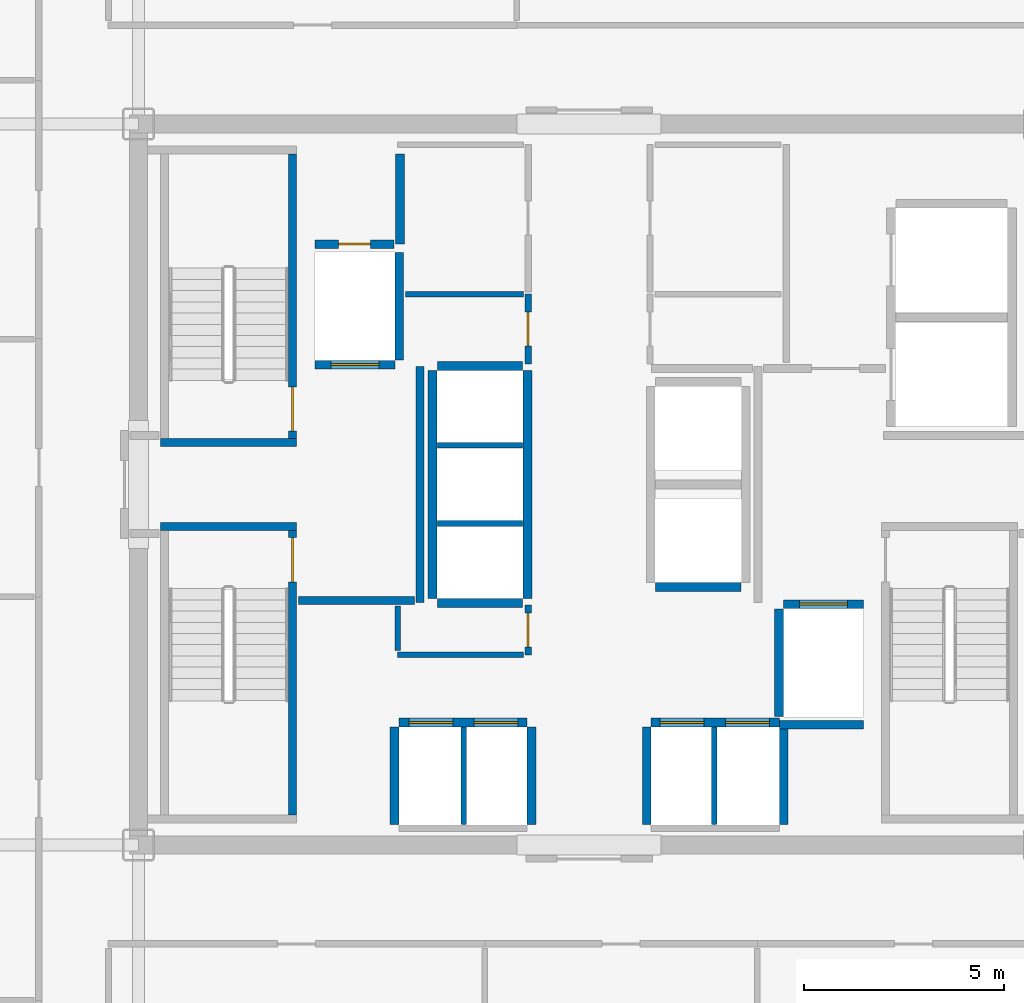
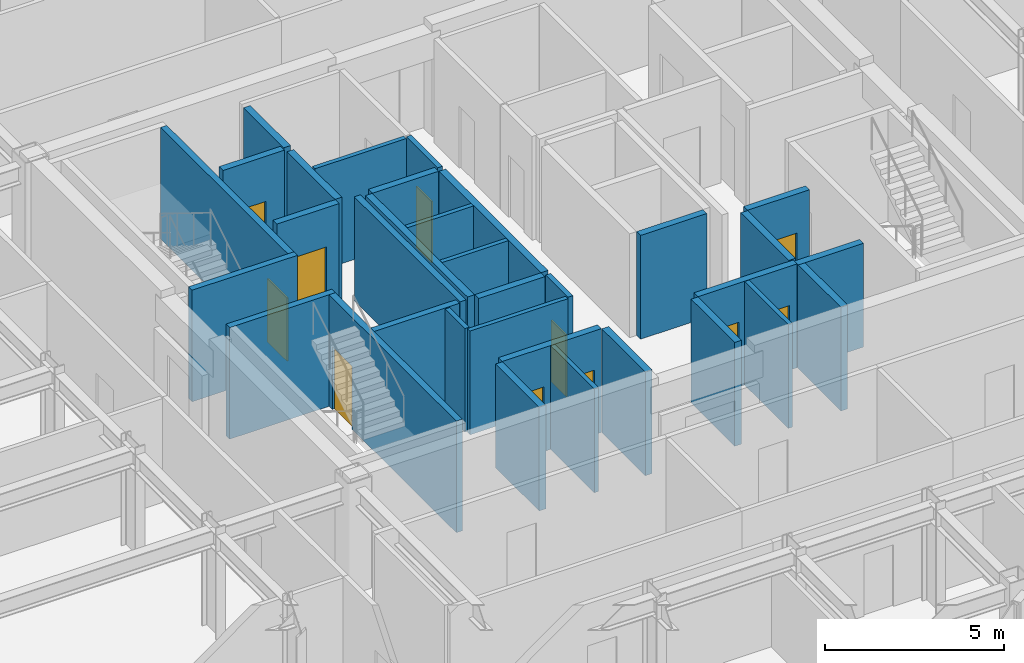
# One storey, part 15 of 20: 33 walls, 11 doors, 11 openings.
"""IFC4 building model written with IfcOpenShell, lengths in metres."""

import ifcopenshell
import ifcopenshell.guid

model = None  # the IFC model being written
_history = None  # IfcOwnerHistory: only IFC2X3 demands one
_inside = {}  # id of a spatial element -> (the spatial element, [elements in it])
_under = {}  # id of a project, library or spatial element -> (it, [spatial elements below it])
_declared = {}  # id of a project -> (the project, [libraries it declares])
_typed = {}  # id of a type object -> (the type object, [elements of that type])
_made_of = {}  # id of a material, layer set ... -> (it, [elements and type objects made of it])


def new_model(schema):
    """Start an empty IFC model of exactly this schema.

    Asked for "IFC4X3", IfcOpenShell would pick the latest addendum, in which some entities
    have other attributes; the version numbers below select the first issue.
    IFC2X3 requires an IfcOwnerHistory on every rooted entity: one is made here for all.
    """
    global model, _history
    if schema == "IFC4X3":
        model = ifcopenshell.file(schema_version=(4, 3, 0, 0))
    else:
        model = ifcopenshell.file(schema=schema)
    _inside.clear()
    _under.clear()
    _declared.clear()
    _typed.clear()
    _made_of.clear()
    _history = None
    if model.schema == "IFC2X3":
        org = make("IfcOrganization", Name="unknown")
        user = make(
            "IfcPersonAndOrganization",
            ThePerson=make("IfcPerson", FamilyName="unknown"),
            TheOrganization=org,
        )
        app = make(
            "IfcApplication",
            ApplicationDeveloper=org,
            Version="unknown",
            ApplicationFullName="unknown",
            ApplicationIdentifier="unknown",
        )
        _history = make(
            "IfcOwnerHistory",
            OwningUser=user,
            OwningApplication=app,
            ChangeAction="ADDED",
            CreationDate=0,
        )
    return model


def make(cls, **values):
    """One entity of the class cls with the attributes given. An attribute that is None is left unset."""
    return model.create_entity(
        cls, **{name: value for name, value in values.items() if value is not None}
    )


def rooted(cls, **values):
    """An entity with a GlobalId (a new one), such as an element, a storey or a relation."""
    return make(cls, GlobalId=ifcopenshell.guid.new(), OwnerHistory=_history, **values)


def si_unit(unit_type, name, prefix=None):
    """IfcSIUnit, for example si_unit("LENGTHUNIT", "METRE", prefix="MILLI")."""
    return make("IfcSIUnit", UnitType=unit_type, Prefix=prefix, Name=name)


def assignment(units):
    """IfcUnitAssignment: the units of a project."""
    return None if units is None else make("IfcUnitAssignment", Units=units)


def point(xyz):
    """IfcCartesianPoint."""
    return None if xyz is None else make("IfcCartesianPoint", Coordinates=xyz)


def direction(xyz):
    """IfcDirection."""
    return None if xyz is None else make("IfcDirection", DirectionRatios=xyz)


def frame(location, z_axis=None, x_axis=None):
    """IfcAxis2Placement3D, a coordinate frame: its origin and axes. An axis left out is left unset."""
    return make(
        "IfcAxis2Placement3D",
        Location=point(location),
        Axis=direction(z_axis),
        RefDirection=direction(x_axis),
    )


def frame_2d(location, x_axis=None):
    """IfcAxis2Placement2D, a coordinate frame in the plane: its origin and x axis."""
    return make(
        "IfcAxis2Placement2D", Location=point(location), RefDirection=direction(x_axis)
    )


def origin():
    """The frame at (0, 0, 0) with its axes left unset."""
    return frame((0.0, 0.0, 0.0))


def place(relative_to, where):
    """IfcLocalPlacement: puts the frame where relative to a parent placement (None: the world)."""
    return make(
        "IfcLocalPlacement", PlacementRelTo=relative_to, RelativePlacement=where
    )


def context(
    kind, dimensions, precision=None, world=None, true_north=None, identifier=None
):
    """IfcGeometricRepresentationContext, for example the 3D "Model" context."""
    return make(
        "IfcGeometricRepresentationContext",
        ContextIdentifier=identifier,
        ContextType=kind,
        CoordinateSpaceDimension=dimensions,
        Precision=precision,
        WorldCoordinateSystem=world,
        TrueNorth=true_north,
    )


def subcontext(parent, identifier, kind, view, scale=None):
    """IfcGeometricRepresentationSubContext, for example "Body" below "Model"."""
    return make(
        "IfcGeometricRepresentationSubContext",
        ContextIdentifier=identifier,
        ContextType=kind,
        ParentContext=parent,
        TargetScale=scale,
        TargetView=view,
    )


def project(units=None, contexts=None):
    """IfcProject with its units and contexts."""
    return rooted(
        "IfcProject",
        Name="project",
        RepresentationContexts=contexts,
        UnitsInContext=assignment(units),
    )


def spatial(cls, under=None, at=None, **own):
    """A site, building, storey or space (cls), placed at a placement, below another one or the project."""
    s = rooted(cls, ObjectPlacement=at, **own)
    if under is not None:
        _under.setdefault(under.id(), (under, []))[1].append(s)
    return s


def profile(cls, at=None, kind="AREA", **sizes):
    """A parametric profile (cls). Its sizes go by their IFC names, for example OverallWidth=200.0."""
    return make(cls, ProfileType=kind, Position=at, **sizes)


def rectangle(**sizes):
    """IfcRectangleProfileDef."""
    return profile("IfcRectangleProfileDef", **sizes)


def extrude(swept, where, along, depth):
    """IfcExtrudedAreaSolid: the profile swept, set in the frame where, extruded along a direction by depth."""
    return make(
        "IfcExtrudedAreaSolid",
        SweptArea=swept,
        Position=where,
        ExtrudedDirection=direction(along),
        Depth=depth,
    )


def shape(context_of_items, identifier, shape_type, items):
    """IfcShapeRepresentation: the items that make up one representation, for example the "Body"."""
    return make(
        "IfcShapeRepresentation",
        ContextOfItems=context_of_items,
        RepresentationIdentifier=identifier,
        RepresentationType=shape_type,
        Items=items,
    )


def source(mapping_origin, context_of_items, identifier, shape_type, items):
    """IfcRepresentationMap: a shape defined once, which mapped items show again and again."""
    return make(
        "IfcRepresentationMap",
        MappingOrigin=mapping_origin,
        MappedRepresentation=shape(context_of_items, identifier, shape_type, items),
    )


def transform(
    local_origin,
    x_axis=None,
    y_axis=None,
    z_axis=None,
    scale=None,
    scale2=None,
    scale3=None,
    uniform=True,
):
    """IfcCartesianTransformationOperator3D, or its non-uniform kind. x_axis, y_axis, z_axis: its Axis1, 2, 3."""
    if uniform:
        return make(
            "IfcCartesianTransformationOperator3D",
            Axis1=direction(x_axis),
            Axis2=direction(y_axis),
            LocalOrigin=point(local_origin),
            Scale=scale,
            Axis3=direction(z_axis),
        )
    return make(
        "IfcCartesianTransformationOperator3DnonUniform",
        Axis1=direction(x_axis),
        Axis2=direction(y_axis),
        LocalOrigin=point(local_origin),
        Scale=scale,
        Axis3=direction(z_axis),
        Scale2=scale2,
        Scale3=scale3,
    )


def mapped(mapping_source, mapping_target):
    """IfcMappedItem: shows the shape of a source again, moved by a transform."""
    return make(
        "IfcMappedItem", MappingSource=mapping_source, MappingTarget=mapping_target
    )


def material(Name=None, Category=None):
    """IfcMaterial."""
    return make("IfcMaterial", Name=Name, Category=Category)


def layer(
    of_material, thickness, ventilated=None, Name=None, Category=None, Priority=None
):
    """IfcMaterialLayer: one layer of a wall or slab, of a material (None: an air gap)."""
    return make(
        "IfcMaterialLayer",
        Material=of_material,
        LayerThickness=thickness,
        IsVentilated=ventilated,
        Name=Name,
        Category=Category,
        Priority=Priority,
    )


def layer_set(layers, Name=None):
    """IfcMaterialLayerSet."""
    return make("IfcMaterialLayerSet", MaterialLayers=layers, LayerSetName=Name)


def made_of(thing, what):
    """Note that an element or type object is made of a material, layer set ...; save() writes the relation."""
    if what is not None:
        _made_of.setdefault(what.id(), (what, []))[1].append(thing)
    return thing


def type_object(cls, material=None, **own):
    """A type object (cls), such as IfcWallType, which elements share."""
    return made_of(rooted(cls, **own), material)


def element(
    cls,
    number,
    at=None,
    inside=None,
    cuts=None,
    type_object=None,
    material=None,
    context=None,
    identifier="Body",
    shape_type=None,
    held_by="IfcProductDefinitionShape",
    body=None,
    shapes=None,
    **own,
):
    """One element of the class cls, such as IfcWall. Its Tag is "e" and its number.

    at: its placement. inside: the storey or other place that contains it. cuts: it is an
    opening in that element (IfcRelVoidsElement). A single representation is given by context,
    identifier, shape_type and body (its items); several are given by shapes. held_by: the class
    of the entity that holds the representations. save() writes the other relations.
    """
    e = rooted(cls, Tag="e%d" % number, ObjectPlacement=at, **own)
    if body is not None:
        shapes = [shape(context, identifier, shape_type, body)]
    if shapes is not None:
        e.Representation = make(held_by, Representations=shapes)
    if inside is not None:
        _inside.setdefault(inside.id(), (inside, []))[1].append(e)
    if cuts is not None:
        rooted(
            "IfcRelVoidsElement", RelatingBuildingElement=cuts, RelatedOpeningElement=e
        )
    if type_object is not None:
        _typed.setdefault(type_object.id(), (type_object, []))[1].append(e)
    return made_of(e, material)


def fill(opening, filler):
    """IfcRelFillsElement: the door or window that sits in an opening."""
    return rooted(
        "IfcRelFillsElement",
        RelatingOpeningElement=opening,
        RelatedBuildingElement=filler,
    )


def aggregate(whole, parts):
    """IfcRelAggregates: a whole, such as a stair, and the parts it consists of."""
    return rooted("IfcRelAggregates", RelatingObject=whole, RelatedObjects=parts)


def save(model, path):
    """Write the relations noted so far, then the file.

    IfcRelAggregates (storeys below a building ...), IfcRelContainedInSpatialStructure (elements
    in a storey), IfcRelDefinesByType, IfcRelAssociatesMaterial and IfcRelDeclares: one each for
    every whole, place, type object, material and project.
    """
    for whole, parts in _under.values():
        aggregate(whole, parts)
    for where, things in _inside.values():
        rooted(
            "IfcRelContainedInSpatialStructure",
            RelatedElements=things,
            RelatingStructure=where,
        )
    for kind, things in _typed.values():
        rooted("IfcRelDefinesByType", RelatedObjects=things, RelatingType=kind)
    for what, things in _made_of.values():
        rooted("IfcRelAssociatesMaterial", RelatedObjects=things, RelatingMaterial=what)
    for by, libraries in _declared.values():
        rooted("IfcRelDeclares", RelatingContext=by, RelatedDefinitions=libraries)
    model.write(path)


model = new_model("IFC4")

# Units and contexts
model_context = context("Model", 3, precision=1e-05, world=origin(), true_north=direction((0.0, 1.0)))
body_context = subcontext(model_context, "Body", "Model", "MODEL_VIEW")
ifc_project = project(units=[si_unit("LENGTHUNIT", "METRE"), si_unit("AREAUNIT", "SQUARE_METRE"), si_unit("VOLUMEUNIT", "CUBIC_METRE"), si_unit("PLANEANGLEUNIT", "RADIAN"), si_unit("MASSUNIT", "GRAM", prefix="KILO")], contexts=[model_context])

# Site, building, storey
site_placement = place(None, origin())
site = spatial("IfcSite", under=ifc_project, at=site_placement, CompositionType="ELEMENT")
building_placement = place(site_placement, origin())
building = spatial("IfcBuilding", under=site, at=building_placement, Name="Nefas-Gora Pilgrimage Tower", CompositionType="ELEMENT")
storey_placement = place(building_placement, frame((0.0, 0.0, 221.800048828125)))
storey = spatial("IfcBuildingStorey", under=building, at=storey_placement, Name="L55", CompositionType="ELEMENT", Elevation=221.800048828125)

# Walls
ifc_material_1 = material(Name="Concrete C45/55", Category="concrete")
ifc_layer_1 = layer(ifc_material_1, 0.199951171875)
ifc_layer_set_1 = layer_set([ifc_layer_1], Name="Concrete C45/55")
wall_type_1 = type_object("IfcWallType", Name="IW-STAIR-200", PredefinedType="SOLIDWALL", material=ifc_layer_set_1)
shared_shape_1 = source(origin(), body_context, "Body", "SweptSolid", [
    extrude(rectangle(XDim=3.39990234375, YDim=0.199951171875, at=frame_2d((1.699951171875, 0.0))), origin(), (0.0, 0.0, 1.0), 3.800048828125),
])
for number, where, z_axis, x_axis, name in (
    (1, (-7.300048828125, 1.050048828125, 0.0), (0.0, 0.0, 1.0), (-1.0, 0.0, 0.0), "L55 Stairwell Shear Wall ST-01-near"),
    (2, (-10.699951171875, -1.050048828125, 0.0), (0.0, 0.0, 1.0), (1.0, 0.0, 0.0), "L55 Stairwell Shear Wall ST-03-near"),
):
    element("IfcWall", number, at=place(storey_placement, frame(where, z_axis=z_axis, x_axis=x_axis)), inside=storey, type_object=wall_type_1, Name=name, PredefinedType="SOLIDWALL", context=body_context, shape_type="MappedRepresentation", body=[
        mapped(shared_shape_1, transform((0.0, 0.0, 0.0), x_axis=(1.0, 0.0, 0.0), y_axis=(0.0, 1.0, 0.0), z_axis=(0.0, 0.0, 1.0), scale=1.0)),
    ])

# Wall, opening, door
shared_shape_2 = source(origin(), body_context, "Body", "SweptSolid", [
    extrude(rectangle(XDim=7.10009765625, YDim=0.199951171875, at=frame_2d((3.550048828125, 0.0))), origin(), (0.0, 0.0, 1.0), 3.800048828125),
])
wall_1_placement = place(storey_placement, frame((-7.39990234375, 1.14990234375, 0.0), z_axis=(0.0, 0.0, 1.0), x_axis=(0.0, 1.0, 0.0)))
wall_1 = element("IfcWall", 3, at=wall_1_placement, inside=storey, type_object=wall_type_1, Name="L55 Stairwell Shear Wall ST-01-left", PredefinedType="SOLIDWALL", context=body_context, shape_type="MappedRepresentation", body=[
    mapped(shared_shape_2, transform((0.0, 0.0, 0.0), x_axis=(1.0, 0.0, 0.0), y_axis=(0.0, 1.0, 0.0), z_axis=(0.0, 0.0, 1.0), scale=1.0)),
])
opening_1_placement = place(wall_1_placement, frame((0.179931640625, 0.0, 0.0)))
opening_1 = element("IfcOpeningElement", 4, at=opening_1_placement, cuts=wall_1, Name="Opening ID-ST1", PredefinedType="OPENING", context=body_context, shape_type="SweptSolid", body=[
    extrude(rectangle(XDim=1.10009765625, YDim=2.14990234375, at=frame_2d((0.550048828125, 1.074951171875))), frame((0.0, 0.10986328125, 0.0), z_axis=(0.0, -1.0, 0.0), x_axis=(1.0, 0.0, 0.0)), (0.0, 0.0, 1.0), 0.219970703125),
])
ifc_material_2 = material(Name="Painted galvanised steel fire stair door", Category="steel")
door_type_1 = type_object("IfcDoorType", Name="DR-INT-STAIR-1100", OperationType="NOTDEFINED", PredefinedType="DOOR", material=ifc_material_2)
shared_shape_3 = source(origin(), body_context, "Body", "SweptSolid", [
    extrude(rectangle(XDim=1.10009765625, YDim=2.14990234375, at=frame_2d((0.550048828125, 1.074951171875))), frame((0.0, 0.02490234375, 0.0), z_axis=(0.0, -1.0, 0.0), x_axis=(1.0, 0.0, 0.0)), (0.0, 0.0, 1.0), 0.050048828125),
])
door_1_placement = place(opening_1_placement, origin())
door_1 = element("IfcDoor", 5, at=door_1_placement, inside=storey, type_object=door_type_1, Name="L55 Protected Exit Stair Door ST-01", OperationType="SINGLE_SWING_LEFT", OverallHeight=2.14990234375, OverallWidth=1.10009765625, PredefinedType="DOOR", context=body_context, shape_type="MappedRepresentation", body=[
    mapped(shared_shape_3, transform((0.0, 0.0, 0.0), x_axis=(1.0, 0.0, 0.0), y_axis=(0.0, 1.0, 0.0), z_axis=(0.0, 0.0, 1.0), scale=1.0)),
])
fill(opening_1, door_1)

wall_2_placement = place(storey_placement, frame((-7.39990234375, -1.14990234375, 0.0), z_axis=(0.0, 0.0, 1.0), x_axis=(0.0, -1.0, 0.0)))
wall_2 = element("IfcWall", 6, at=wall_2_placement, inside=storey, type_object=wall_type_1, Name="L55 Stairwell Shear Wall ST-03-right", PredefinedType="SOLIDWALL", context=body_context, shape_type="MappedRepresentation", body=[
    mapped(shared_shape_2, transform((0.0, 0.0, 0.0), x_axis=(1.0, 0.0, 0.0), y_axis=(0.0, 1.0, 0.0), z_axis=(0.0, 0.0, 1.0), scale=1.0)),
])
opening_2_placement = place(wall_2_placement, frame((0.179931640625, 0.0, 0.0)))
opening_2 = element("IfcOpeningElement", 7, at=opening_2_placement, cuts=wall_2, Name="Opening ID-ST1", PredefinedType="OPENING", context=body_context, shape_type="SweptSolid", body=[
    extrude(rectangle(XDim=1.10009765625, YDim=2.14990234375, at=frame_2d((0.550048828125, 1.074951171875))), frame((0.0, 0.10986328125, 0.0), z_axis=(0.0, -1.0, 0.0), x_axis=(1.0, 0.0, 0.0)), (0.0, 0.0, 1.0), 0.219970703125),
])
door_2_placement = place(opening_2_placement, origin())
door_2 = element("IfcDoor", 8, at=door_2_placement, inside=storey, type_object=door_type_1, Name="L55 Protected Exit Stair Door ST-03", OperationType="SINGLE_SWING_LEFT", OverallHeight=2.14990234375, OverallWidth=1.10009765625, PredefinedType="DOOR", context=body_context, shape_type="MappedRepresentation", body=[
    mapped(shared_shape_3, transform((0.0, 0.0, 0.0), x_axis=(1.0, 0.0, 0.0), y_axis=(0.0, 1.0, 0.0), z_axis=(0.0, 0.0, 1.0), scale=1.0)),
])
fill(opening_2, door_2)

ifc_material_3 = material(Name="Concrete C40/50", Category="concrete")
ifc_layer_2 = layer(ifc_material_3, 0.219970703125)
ifc_layer_set_2 = layer_set([ifc_layer_2], Name="Concrete C40/50")
wall_type_2 = type_object("IfcWallType", Name="IW-SHAFT-220", PredefinedType="SOLIDWALL", material=ifc_layer_set_2)
shared_shape_4 = source(origin(), body_context, "Body", "SweptSolid", [
    extrude(rectangle(XDim=2.0, YDim=0.219970703125, at=frame_2d((1.0, 0.0))), origin(), (0.0, 0.0, 1.0), 3.534912109375),
])
wall_3_placement = place(storey_placement, frame((-6.85009765625, 2.989990234375, 0.0), z_axis=(0.0, 0.0, 1.0), x_axis=(1.0, 0.0, 0.0)))
wall_3 = element("IfcWall", 9, at=wall_3_placement, inside=storey, type_object=wall_type_2, Name="L55 Hoistway Wall FFL-01-S", PredefinedType="SOLIDWALL", context=body_context, shape_type="MappedRepresentation", body=[
    mapped(shared_shape_4, transform((0.0, 0.0, 0.0), x_axis=(1.0, 0.0, 0.0), y_axis=(0.0, 1.0, 0.0), z_axis=(0.0, 0.0, 1.0), scale=1.0)),
])
opening_3_placement = place(wall_3_placement, frame((0.39990234375, 0.0, 0.0)))
opening_3 = element("IfcOpeningElement", 10, at=opening_3_placement, cuts=wall_3, Name="Opening LD-FF", PredefinedType="OPENING", context=body_context, shape_type="SweptSolid", body=[
    extrude(rectangle(XDim=1.199951171875, YDim=2.199951171875, at=frame_2d((0.60009765625, 1.10009765625))), frame((0.0, 0.119873046875, 0.0), z_axis=(0.0, -1.0, 0.0), x_axis=(1.0, 0.0, 0.0)), (0.0, 0.0, 1.0), 0.239990234375),
])
ifc_material_4 = material(Name="Fire-service sliding lift landing door")
door_type_2 = type_object("IfcDoorType", Name="DR-LIFT-FSAE-1200", OperationType="SLIDING_TO_LEFT", PredefinedType="DOOR", material=ifc_material_4)
shared_shape_5 = source(origin(), body_context, "Body", "SweptSolid", [
    extrude(rectangle(XDim=1.199951171875, YDim=2.199951171875, at=frame_2d((0.60009765625, 1.10009765625))), frame((0.0, 0.02490234375, 0.0), z_axis=(0.0, -1.0, 0.0), x_axis=(1.0, 0.0, 0.0)), (0.0, 0.0, 1.0), 0.050048828125),
])
door_3_placement = place(opening_3_placement, origin())
door_3 = element("IfcDoor", 11, at=door_3_placement, inside=storey, type_object=door_type_2, Name="L55 Sliding Lift Landing Door FFL-01", OperationType="SLIDING_TO_LEFT", OverallHeight=2.199951171875, OverallWidth=1.199951171875, PredefinedType="DOOR", context=body_context, shape_type="MappedRepresentation", body=[
    mapped(shared_shape_5, transform((0.0, 0.0, 0.0), x_axis=(1.0, 0.0, 0.0), y_axis=(0.0, 1.0, 0.0), z_axis=(0.0, 0.0, 1.0), scale=1.0)),
])
fill(opening_3, door_3)

wall_4_placement = place(storey_placement, frame((6.85009765625, -2.989990234375, 0.0), z_axis=(0.0, 0.0, 1.0), x_axis=(-1.0, 0.0, 0.0)))
wall_4 = element("IfcWall", 12, at=wall_4_placement, inside=storey, type_object=wall_type_2, Name="L55 Hoistway Wall FFL-02-N", PredefinedType="SOLIDWALL", context=body_context, shape_type="MappedRepresentation", body=[
    mapped(shared_shape_4, transform((0.0, 0.0, 0.0), x_axis=(1.0, 0.0, 0.0), y_axis=(0.0, 1.0, 0.0), z_axis=(0.0, 0.0, 1.0), scale=1.0)),
])
opening_4_placement = place(wall_4_placement, frame((0.39990234375, 0.0, 0.0)))
opening_4 = element("IfcOpeningElement", 13, at=opening_4_placement, cuts=wall_4, Name="Opening LD-FF", PredefinedType="OPENING", context=body_context, shape_type="SweptSolid", body=[
    extrude(rectangle(XDim=1.199951171875, YDim=2.199951171875, at=frame_2d((0.60009765625, 1.10009765625))), frame((0.0, 0.119873046875, 0.0), z_axis=(0.0, -1.0, 0.0), x_axis=(1.0, 0.0, 0.0)), (0.0, 0.0, 1.0), 0.239990234375),
])
door_4_placement = place(opening_4_placement, origin())
door_4 = element("IfcDoor", 14, at=door_4_placement, inside=storey, type_object=door_type_2, Name="L55 Sliding Lift Landing Door FFL-02", OperationType="SLIDING_TO_LEFT", OverallHeight=2.199951171875, OverallWidth=1.199951171875, PredefinedType="DOOR", context=body_context, shape_type="MappedRepresentation", body=[
    mapped(shared_shape_5, transform((0.0, 0.0, 0.0), x_axis=(1.0, 0.0, 0.0), y_axis=(0.0, 1.0, 0.0), z_axis=(0.0, 0.0, 1.0), scale=1.0)),
])
fill(opening_4, door_4)

# Walls
shared_shape_6 = source(origin(), body_context, "Body", "SweptSolid", [
    extrude(rectangle(XDim=2.679931640625, YDim=0.219970703125, at=frame_2d((1.33984375, 0.0))), origin(), (0.0, 0.0, 1.0), 3.534912109375),
])
for number, where, z_axis, x_axis, name in (
    (15, (-4.739990234375, 3.110107421875, 0.0), (0.0, 0.0, 1.0), (0.0, 1.0, 0.0), "L55 Hoistway Wall FFL-01-E"),
    (16, (4.739990234375, -3.110107421875, 0.0), (0.0, 0.0, 1.0), (0.0, -1.0, 0.0), "L55 Hoistway Wall FFL-02-W"),
):
    element("IfcWall", number, at=place(storey_placement, frame(where, z_axis=z_axis, x_axis=x_axis)), inside=storey, type_object=wall_type_2, Name=name, PredefinedType="SOLIDWALL", context=body_context, shape_type="MappedRepresentation", body=[
        mapped(shared_shape_6, transform((0.0, 0.0, 0.0), x_axis=(1.0, 0.0, 0.0), y_axis=(0.0, 1.0, 0.0), z_axis=(0.0, 0.0, 1.0), scale=1.0)),
    ])

# Wall, openings, doors
shared_shape_7 = source(origin(), body_context, "Body", "SweptSolid", [
    extrude(rectangle(XDim=3.199951171875, YDim=0.219970703125, at=frame_2d((1.60009765625, 0.0))), origin(), (0.0, 0.0, 1.0), 3.534912109375),
])
wall_5_placement = place(storey_placement, frame((-1.550048828125, -5.93994140625, 0.0), z_axis=(0.0, 0.0, 1.0), x_axis=(-1.0, 0.0, 0.0)))
wall_5 = element("IfcWall", 17, at=wall_5_placement, inside=storey, type_object=wall_type_2, Name="L55 Hoistway Wall PL2-W-N", PredefinedType="SOLIDWALL", context=body_context, shape_type="MappedRepresentation", body=[
    mapped(shared_shape_7, transform((0.0, 0.0, 0.0), x_axis=(1.0, 0.0, 0.0), y_axis=(0.0, 1.0, 0.0), z_axis=(0.0, 0.0, 1.0), scale=1.0)),
])
opening_5_placement = place(wall_5_placement, frame((1.85009765625, 0.0, 0.0)))
opening_5 = element("IfcOpeningElement", 18, at=opening_5_placement, cuts=wall_5, Name="Opening LD-01", PredefinedType="OPENING", context=body_context, shape_type="SweptSolid", body=[
    extrude(rectangle(XDim=1.10009765625, YDim=2.199951171875, at=frame_2d((0.550048828125, 1.10009765625))), frame((0.0, 0.119873046875, 0.0), z_axis=(0.0, -1.0, 0.0), x_axis=(1.0, 0.0, 0.0)), (0.0, 0.0, 1.0), 0.239990234375),
])
opening_6_placement = place(wall_5_placement, frame((0.22509765625, 0.0, 0.0)))
opening_6 = element("IfcOpeningElement", 19, at=opening_6_placement, cuts=wall_5, Name="Opening LD-01", PredefinedType="OPENING", context=body_context, shape_type="SweptSolid", body=[
    extrude(rectangle(XDim=1.10009765625, YDim=2.199951171875, at=frame_2d((0.550048828125, 1.10009765625))), frame((0.0, 0.119873046875, 0.0), z_axis=(0.0, -1.0, 0.0), x_axis=(1.0, 0.0, 0.0)), (0.0, 0.0, 1.0), 0.239990234375),
])
ifc_material_5 = material(Name="Brushed stainless sliding lift landing door")
door_type_3 = type_object("IfcDoorType", Name="DR-LIFT-PASS-1100", OperationType="DOUBLE_DOOR_SLIDING", PredefinedType="DOOR", material=ifc_material_5)
shared_shape_8 = source(origin(), body_context, "Body", "SweptSolid", [
    extrude(rectangle(XDim=1.10009765625, YDim=2.199951171875, at=frame_2d((0.550048828125, 1.10009765625))), frame((0.0, 0.02490234375, 0.0), z_axis=(0.0, -1.0, 0.0), x_axis=(1.0, 0.0, 0.0)), (0.0, 0.0, 1.0), 0.050048828125),
])
door_5_placement = place(opening_5_placement, origin())
door_5 = element("IfcDoor", 20, at=door_5_placement, inside=storey, type_object=door_type_3, Name="L55 Sliding Lift Landing Door PL2-01", OperationType="DOUBLE_DOOR_SLIDING", OverallHeight=2.199951171875, OverallWidth=1.10009765625, PredefinedType="DOOR", context=body_context, shape_type="MappedRepresentation", body=[
    mapped(shared_shape_8, transform((0.0, 0.0, 0.0), x_axis=(1.0, 0.0, 0.0), y_axis=(0.0, 1.0, 0.0), z_axis=(0.0, 0.0, 1.0), scale=1.0)),
])
fill(opening_5, door_5)
door_6_placement = place(opening_6_placement, origin())
door_6 = element("IfcDoor", 21, at=door_6_placement, inside=storey, type_object=door_type_3, Name="L55 Sliding Lift Landing Door PL2-02", OperationType="DOUBLE_DOOR_SLIDING", OverallHeight=2.199951171875, OverallWidth=1.10009765625, PredefinedType="DOOR", context=body_context, shape_type="MappedRepresentation", body=[
    mapped(shared_shape_8, transform((0.0, 0.0, 0.0), x_axis=(1.0, 0.0, 0.0), y_axis=(0.0, 1.0, 0.0), z_axis=(0.0, 0.0, 1.0), scale=1.0)),
])
fill(opening_6, door_6)

wall_6_placement = place(storey_placement, frame((4.75, -5.93994140625, 0.0), z_axis=(0.0, 0.0, 1.0), x_axis=(-1.0, 0.0, 0.0)))
wall_6 = element("IfcWall", 22, at=wall_6_placement, inside=storey, type_object=wall_type_2, Name="L55 Hoistway Wall PL2-E-N", PredefinedType="SOLIDWALL", context=body_context, shape_type="MappedRepresentation", body=[
    mapped(shared_shape_7, transform((0.0, 0.0, 0.0), x_axis=(1.0, 0.0, 0.0), y_axis=(0.0, 1.0, 0.0), z_axis=(0.0, 0.0, 1.0), scale=1.0)),
])
opening_7_placement = place(wall_6_placement, frame((1.875, 0.0, 0.0)))
opening_7 = element("IfcOpeningElement", 23, at=opening_7_placement, cuts=wall_6, Name="Opening LD-01", PredefinedType="OPENING", context=body_context, shape_type="SweptSolid", body=[
    extrude(rectangle(XDim=1.10009765625, YDim=2.199951171875, at=frame_2d((0.550048828125, 1.10009765625))), frame((0.0, 0.119873046875, 0.0), z_axis=(0.0, -1.0, 0.0), x_axis=(1.0, 0.0, 0.0)), (0.0, 0.0, 1.0), 0.239990234375),
])
opening_8_placement = place(wall_6_placement, frame((0.25, 0.0, 0.0)))
opening_8 = element("IfcOpeningElement", 24, at=opening_8_placement, cuts=wall_6, Name="Opening LD-01", PredefinedType="OPENING", context=body_context, shape_type="SweptSolid", body=[
    extrude(rectangle(XDim=1.10009765625, YDim=2.199951171875, at=frame_2d((0.550048828125, 1.10009765625))), frame((0.0, 0.119873046875, 0.0), z_axis=(0.0, -1.0, 0.0), x_axis=(1.0, 0.0, 0.0)), (0.0, 0.0, 1.0), 0.239990234375),
])
door_7_placement = place(opening_7_placement, origin())
door_7 = element("IfcDoor", 25, at=door_7_placement, inside=storey, type_object=door_type_3, Name="L55 Sliding Lift Landing Door PL2-03", OperationType="DOUBLE_DOOR_SLIDING", OverallHeight=2.199951171875, OverallWidth=1.10009765625, PredefinedType="DOOR", context=body_context, shape_type="MappedRepresentation", body=[
    mapped(shared_shape_8, transform((0.0, 0.0, 0.0), x_axis=(1.0, 0.0, 0.0), y_axis=(0.0, 1.0, 0.0), z_axis=(0.0, 0.0, 1.0), scale=1.0)),
])
fill(opening_7, door_7)
door_8_placement = place(opening_8_placement, origin())
door_8 = element("IfcDoor", 26, at=door_8_placement, inside=storey, type_object=door_type_3, Name="L55 Sliding Lift Landing Door PL2-04", OperationType="DOUBLE_DOOR_SLIDING", OverallHeight=2.199951171875, OverallWidth=1.10009765625, PredefinedType="DOOR", context=body_context, shape_type="MappedRepresentation", body=[
    mapped(shared_shape_8, transform((0.0, 0.0, 0.0), x_axis=(1.0, 0.0, 0.0), y_axis=(0.0, 1.0, 0.0), z_axis=(0.0, 0.0, 1.0), scale=1.0)),
])
fill(opening_8, door_8)

# Walls
shared_shape_9 = source(origin(), body_context, "Body", "SweptSolid", [
    extrude(rectangle(XDim=2.429931640625, YDim=0.219970703125, at=frame_2d((1.21484375, 0.0))), origin(), (0.0, 0.0, 1.0), 3.534912109375),
])
for number, where, z_axis, x_axis, name in (
    (27, (-4.860107421875, -6.06005859375, 0.0), (0.0, 0.0, 1.0), (0.0, -1.0, 0.0), "L55 Hoistway Wall PL2-W-W"),
    (28, (-1.43994140625, -8.489990234375, 0.0), (0.0, 0.0, 1.0), (0.0, 1.0, 0.0), "L55 Hoistway Wall PL2-W-E"),
    (29, (1.43994140625, -6.06005859375, 0.0), (0.0, 0.0, 1.0), (0.0, -1.0, 0.0), "L55 Hoistway Wall PL2-E-W"),
    (30, (4.860107421875, -8.489990234375, 0.0), (0.0, 0.0, 1.0), (0.0, 1.0, 0.0), "L55 Hoistway Wall PL2-E-E"),
):
    element("IfcWall", number, at=place(storey_placement, frame(where, z_axis=z_axis, x_axis=x_axis)), inside=storey, type_object=wall_type_2, Name=name, PredefinedType="SOLIDWALL", context=body_context, shape_type="MappedRepresentation", body=[
        mapped(shared_shape_9, transform((0.0, 0.0, 0.0), x_axis=(1.0, 0.0, 0.0), y_axis=(0.0, 1.0, 0.0), z_axis=(0.0, 0.0, 1.0), scale=1.0)),
    ])
ifc_material_6 = material(Name="Gypsum twin-stud partition")
ifc_layer_3 = layer(ifc_material_6, 0.139892578125)
ifc_layer_set_3 = layer_set([ifc_layer_3], Name="Gypsum twin-stud partition")
wall_type_3 = type_object("IfcWallType", Name="IW-UNIT-140", PredefinedType="PARTITIONING", material=ifc_layer_set_3)
shared_shape_10 = source(origin(), body_context, "Body", "SweptSolid", [
    extrude(rectangle(XDim=2.429931640625, YDim=0.139892578125, at=frame_2d((1.21484375, 0.0))), origin(), (0.0, 0.0, 1.0), 3.534912109375),
])
for number, where, z_axis, x_axis, name in (
    (31, (-3.125, -8.489990234375, 0.0), (0.0, 0.0, 1.0), (0.0, 1.0, 0.0), "L55 Hoistway Wall PL2-W-DIV"),
    (32, (3.125, -8.489990234375, 0.0), (0.0, 0.0, 1.0), (0.0, 1.0, 0.0), "L55 Hoistway Wall PL2-E-DIV"),
):
    element("IfcWall", number, at=place(storey_placement, frame(where, z_axis=z_axis, x_axis=x_axis)), inside=storey, type_object=wall_type_3, Name=name, PredefinedType="PARTITIONING", context=body_context, shape_type="MappedRepresentation", body=[
        mapped(shared_shape_10, transform((0.0, 0.0, 0.0), x_axis=(1.0, 0.0, 0.0), y_axis=(0.0, 1.0, 0.0), z_axis=(0.0, 0.0, 1.0), scale=1.0)),
    ])
shared_shape_11 = source(origin(), body_context, "Body", "SweptSolid", [
    extrude(rectangle(XDim=5.7001953125, YDim=0.219970703125, at=frame_2d((2.85009765625, 0.0))), origin(), (0.0, 0.0, 1.0), 3.534912109375),
])
for number, where, z_axis, x_axis, name in (
    (33, (-1.5400390625, -2.85009765625, 0.0), (0.0, 0.0, 1.0), (0.0, 1.0, 0.0), "L55 Hoistway Wall PL3-01-03-E"),
    (34, (-3.909912109375, 2.85009765625, 0.0), (0.0, 0.0, 1.0), (0.0, -1.0, 0.0), "L55 Hoistway Wall PL3-01-03-W"),
):
    element("IfcWall", number, at=place(storey_placement, frame(where, z_axis=z_axis, x_axis=x_axis)), inside=storey, type_object=wall_type_2, Name=name, PredefinedType="SOLIDWALL", context=body_context, shape_type="MappedRepresentation", body=[
        mapped(shared_shape_11, transform((0.0, 0.0, 0.0), x_axis=(1.0, 0.0, 0.0), y_axis=(0.0, 1.0, 0.0), z_axis=(0.0, 0.0, 1.0), scale=1.0)),
    ])
shared_shape_12 = source(origin(), body_context, "Body", "SweptSolid", [
    extrude(rectangle(XDim=2.130126953125, YDim=0.219970703125, at=frame_2d((1.06494140625, 0.0))), origin(), (0.0, 0.0, 1.0), 3.534912109375),
])
for number, where, z_axis, x_axis, name in (
    (35, (-3.7900390625, -2.9599609375, 0.0), (0.0, 0.0, 1.0), (1.0, 0.0, 0.0), "L55 Hoistway Wall PL3-01-S"),
    (36, (-1.659912109375, 2.9599609375, 0.0), (0.0, 0.0, 1.0), (-1.0, 0.0, 0.0), "L55 Hoistway Wall PL3-03-N"),
    (37, (1.659912109375, -2.56005859375, 0.0), (0.0, 0.0, 1.0), (1.0, 0.0, 0.0), "L55 Hoistway Wall OBS-01-S"),
):
    element("IfcWall", number, at=place(storey_placement, frame(where, z_axis=z_axis, x_axis=x_axis)), inside=storey, type_object=wall_type_2, Name=name, PredefinedType="SOLIDWALL", context=body_context, shape_type="MappedRepresentation", body=[
        mapped(shared_shape_12, transform((0.0, 0.0, 0.0), x_axis=(1.0, 0.0, 0.0), y_axis=(0.0, 1.0, 0.0), z_axis=(0.0, 0.0, 1.0), scale=1.0)),
    ])
shared_shape_13 = source(origin(), body_context, "Body", "SweptSolid", [
    extrude(rectangle(XDim=2.130126953125, YDim=0.139892578125, at=frame_2d((1.06494140625, 0.0))), origin(), (0.0, 0.0, 1.0), 3.534912109375),
])
for number, where, z_axis, x_axis, name in (
    (38, (-3.7900390625, -0.97509765625, 0.0), (0.0, 0.0, 1.0), (1.0, 0.0, 0.0), "L55 Hoistway Wall PL3-01-02-DIV"),
    (39, (-3.7900390625, 0.97509765625, 0.0), (0.0, 0.0, 1.0), (1.0, 0.0, 0.0), "L55 Hoistway Wall PL3-02-03-DIV"),
):
    element("IfcWall", number, at=place(storey_placement, frame(where, z_axis=z_axis, x_axis=x_axis)), inside=storey, type_object=wall_type_3, Name=name, PredefinedType="PARTITIONING", context=body_context, shape_type="MappedRepresentation", body=[
        mapped(shared_shape_13, transform((0.0, 0.0, 0.0), x_axis=(1.0, 0.0, 0.0), y_axis=(0.0, 1.0, 0.0), z_axis=(0.0, 0.0, 1.0), scale=1.0)),
    ])
shared_shape_14 = source(origin(), body_context, "Body", "SweptSolid", [
    extrude(rectangle(XDim=2.09521484375, YDim=0.219970703125, at=frame_2d((1.047607421875, 0.0))), origin(), (0.0, 0.0, 1.0), 3.534912109375),
])
wall_7_placement = place(storey_placement, frame((4.7548828125, -6.0, 0.0), z_axis=(0.0, 0.0, 1.0), x_axis=(1.0, 0.0, 0.0)))
element("IfcWall", 40, at=wall_7_placement, inside=storey, type_object=wall_type_2, Name="L55 Riser Shaft Wall 3", PredefinedType="SOLIDWALL", context=body_context, shape_type="MappedRepresentation", body=[
    mapped(shared_shape_14, transform((0.0, 0.0, 0.0), x_axis=(1.0, 0.0, 0.0), y_axis=(0.0, 1.0, 0.0), z_axis=(0.0, 0.0, 1.0), scale=1.0)),
])
ifc_material_7 = material(Name="Gypsum fire-rated shaftwall")
ifc_layer_4 = layer(ifc_material_7, 0.199951171875)
ifc_layer_set_4 = layer_set([ifc_layer_4], Name="Gypsum fire-rated shaftwall")
wall_type_4 = type_object("IfcWallType", Name="IW-FFLOB-200", PredefinedType="PARTITIONING", material=ifc_layer_set_4)
shared_shape_15 = source(origin(), body_context, "Body", "SweptSolid", [
    extrude(rectangle(XDim=5.89990234375, YDim=0.199951171875, at=frame_2d((2.949951171875, 0.0))), origin(), (0.0, 0.0, 1.0), 3.534912109375),
])
wall_8_placement = place(storey_placement, frame((-4.219970703125, -2.949951171875, 0.0), z_axis=(0.0, 0.0, 1.0), x_axis=(0.0, 1.0, 0.0)))
element("IfcWall", 41, at=wall_8_placement, inside=storey, type_object=wall_type_4, Name="L55 FF Lobby West Inner Wall Wall 5", PredefinedType="PARTITIONING", context=body_context, shape_type="MappedRepresentation", body=[
    mapped(shared_shape_15, transform((0.0, 0.0, 0.0), x_axis=(1.0, 0.0, 0.0), y_axis=(0.0, 1.0, 0.0), z_axis=(0.0, 0.0, 1.0), scale=1.0)),
])
shared_shape_16 = source(origin(), body_context, "Body", "SweptSolid", [
    extrude(rectangle(XDim=2.89990234375, YDim=0.199951171875, at=frame_2d((1.449951171875, 0.0))), origin(), (0.0, 0.0, 1.0), 3.534912109375),
])
wall_9_placement = place(storey_placement, frame((-7.260009765625, -2.89990234375, 0.0), z_axis=(0.0, 0.0, 1.0), x_axis=(1.0, 0.0, 0.0)))
element("IfcWall", 42, at=wall_9_placement, inside=storey, type_object=wall_type_4, Name="L55 FF Lobby West South Wall Wall 6", PredefinedType="PARTITIONING", context=body_context, shape_type="MappedRepresentation", body=[
    mapped(shared_shape_16, transform((0.0, 0.0, 0.0), x_axis=(1.0, 0.0, 0.0), y_axis=(0.0, 1.0, 0.0), z_axis=(0.0, 0.0, 1.0), scale=1.0)),
])

# Wall, opening, door
ifc_material_8 = material(Name="Gypsum acoustic stud partition")
ifc_layer_5 = layer(ifc_material_8, 0.159912109375)
ifc_layer_set_5 = layer_set([ifc_layer_5], Name="Gypsum acoustic stud partition")
wall_type_5 = type_object("IfcWallType", Name="IW-CORR-160", PredefinedType="PARTITIONING", material=ifc_layer_set_5)
shared_shape_17 = source(origin(), body_context, "Body", "SweptSolid", [
    extrude(rectangle(XDim=1.25, YDim=0.159912109375, at=frame_2d((0.625, 0.0))), origin(), (0.0, 0.0, 1.0), 3.534912109375),
])
wall_10_placement = place(storey_placement, frame((-1.52001953125, -4.260009765625, 0.0), z_axis=(0.0, 0.0, 1.0), x_axis=(0.0, 1.0, 0.0)))
wall_10 = element("IfcWall", 43, at=wall_10_placement, inside=storey, type_object=wall_type_5, Name="L55 Guest Self-Service Laundry Room Wall 26", PredefinedType="PARTITIONING", context=body_context, shape_type="MappedRepresentation", body=[
    mapped(shared_shape_17, transform((0.0, 0.0, 0.0), x_axis=(1.0, 0.0, 0.0), y_axis=(0.0, 1.0, 0.0), z_axis=(0.0, 0.0, 1.0), scale=1.0)),
])
opening_9_placement = place(wall_10_placement, frame((0.199951171875, 0.0, 0.0)))
opening_9 = element("IfcOpeningElement", 44, at=opening_9_placement, cuts=wall_10, Name="Opening ID-BT1", PredefinedType="OPENING", context=body_context, shape_type="SweptSolid", body=[
    extrude(rectangle(XDim=0.85009765625, YDim=2.10009765625, at=frame_2d((0.425048828125, 1.050048828125))), frame((0.0, 0.08984375, 0.0), z_axis=(0.0, -1.0, 0.0), x_axis=(1.0, 0.0, 0.0)), (0.0, 0.0, 1.0), 0.179931640625),
])
ifc_material_9 = material(Name="Moisture-resistant fire-rated timber door", Category="wood")
door_type_4 = type_object("IfcDoorType", Name="DR-INT-BATH-850", OperationType="NOTDEFINED", PredefinedType="DOOR", material=ifc_material_9)
shared_shape_18 = source(origin(), body_context, "Body", "SweptSolid", [
    extrude(rectangle(XDim=0.85009765625, YDim=2.10009765625, at=frame_2d((0.425048828125, 1.050048828125))), frame((0.0, 0.02490234375, 0.0), z_axis=(0.0, -1.0, 0.0), x_axis=(1.0, 0.0, 0.0)), (0.0, 0.0, 1.0), 0.050048828125),
])
door_9_placement = place(opening_9_placement, origin())
door_9 = element("IfcDoor", 45, at=door_9_placement, inside=storey, type_object=door_type_4, Name="L55 Guest Self-Service Laundry Room Door 11", OperationType="SINGLE_SWING_LEFT", OverallHeight=2.10009765625, OverallWidth=0.85009765625, PredefinedType="DOOR", context=body_context, shape_type="MappedRepresentation", body=[
    mapped(shared_shape_18, transform((0.0, 0.0, 0.0), x_axis=(1.0, 0.0, 0.0), y_axis=(0.0, 1.0, 0.0), z_axis=(0.0, 0.0, 1.0), scale=1.0)),
])
fill(opening_9, door_9)

# Walls
shared_shape_19 = source(origin(), body_context, "Body", "SweptSolid", [
    extrude(rectangle(XDim=2.9501953125, YDim=0.139892578125, at=frame_2d((1.47509765625, 0.0))), origin(), (0.0, 0.0, 1.0), 3.534912109375),
])
wall_11_placement = place(storey_placement, frame((-4.590087890625, 4.75, 0.0), z_axis=(0.0, 0.0, 1.0), x_axis=(1.0, 0.0, 0.0)))
element("IfcWall", 46, at=wall_11_placement, inside=storey, type_object=wall_type_3, Name="L55 Housekeeping and Linen Store Partition Wall 19", PredefinedType="PARTITIONING", context=body_context, shape_type="MappedRepresentation", body=[
    mapped(shared_shape_19, transform((0.0, 0.0, 0.0), x_axis=(1.0, 0.0, 0.0), y_axis=(0.0, 1.0, 0.0), z_axis=(0.0, 0.0, 1.0), scale=1.0)),
])
shared_shape_20 = source(origin(), body_context, "Body", "SweptSolid", [
    extrude(rectangle(XDim=3.150146484375, YDim=0.139892578125, at=frame_2d((1.5751953125, 0.0))), origin(), (0.0, 0.0, 1.0), 3.534912109375),
])
wall_12_placement = place(storey_placement, frame((-4.7900390625, -4.25, 0.0), z_axis=(0.0, 0.0, 1.0), x_axis=(1.0, 0.0, 0.0)))
element("IfcWall", 47, at=wall_12_placement, inside=storey, type_object=wall_type_3, Name="L55 Guest Self-Service Laundry Room Partition Wall 27", PredefinedType="PARTITIONING", context=body_context, shape_type="MappedRepresentation", body=[
    mapped(shared_shape_20, transform((0.0, 0.0, 0.0), x_axis=(1.0, 0.0, 0.0), y_axis=(0.0, 1.0, 0.0), z_axis=(0.0, 0.0, 1.0), scale=1.0)),
])
shared_shape_21 = source(origin(), body_context, "Body", "SweptSolid", [
    extrude(rectangle(XDim=1.099853515625, YDim=0.139892578125, at=frame_2d((0.5498046875, 0.0))), origin(), (0.0, 0.0, 1.0), 3.534912109375),
])
wall_13_placement = place(storey_placement, frame((-4.780029296875, -4.139892578125, 0.0), z_axis=(0.0, 0.0, 1.0), x_axis=(0.0, 1.0, 0.0)))
element("IfcWall", 48, at=wall_13_placement, inside=storey, type_object=wall_type_3, Name="L55 Guest Self-Service Laundry Room Partition Wall 28", PredefinedType="PARTITIONING", context=body_context, shape_type="MappedRepresentation", body=[
    mapped(shared_shape_21, transform((0.0, 0.0, 0.0), x_axis=(1.0, 0.0, 0.0), y_axis=(0.0, 1.0, 0.0), z_axis=(0.0, 0.0, 1.0), scale=1.0)),
])
shared_shape_22 = source(origin(), body_context, "Body", "SweptSolid", [
    extrude(rectangle(XDim=2.25, YDim=0.219970703125, at=frame_2d((1.125, 0.0))), origin(), (0.0, 0.0, 1.0), 3.534912109375),
])
wall_14_placement = place(storey_placement, frame((-4.719970703125, 6.0, 0.0), z_axis=(0.0, 0.0, 1.0), x_axis=(0.0, 1.0, 0.0)))
element("IfcWall", 49, at=wall_14_placement, inside=storey, type_object=wall_type_2, Name="L55 Riser Shaft Wall 1", PredefinedType="SOLIDWALL", context=body_context, shape_type="MappedRepresentation", body=[
    mapped(shared_shape_22, transform((0.0, 0.0, 0.0), x_axis=(1.0, 0.0, 0.0), y_axis=(0.0, 1.0, 0.0), z_axis=(0.0, 0.0, 1.0), scale=1.0)),
])

# Wall, opening, door
shared_shape_23 = source(origin(), body_context, "Body", "SweptSolid", [
    extrude(rectangle(XDim=1.97998046875, YDim=0.219970703125, at=frame_2d((0.989990234375, 0.0))), origin(), (0.0, 0.0, 1.0), 3.534912109375),
])
wall_15_placement = place(storey_placement, frame((-6.85009765625, 6.0, 0.0), z_axis=(0.0, 0.0, 1.0), x_axis=(1.0, 0.0, 0.0)))
wall_15 = element("IfcWall", 50, at=wall_15_placement, inside=storey, type_object=wall_type_2, Name="L55 Riser Shaft Wall 2", PredefinedType="SOLIDWALL", context=body_context, shape_type="MappedRepresentation", body=[
    mapped(shared_shape_23, transform((0.0, 0.0, 0.0), x_axis=(1.0, 0.0, 0.0), y_axis=(0.0, 1.0, 0.0), z_axis=(0.0, 0.0, 1.0), scale=1.0)),
])
opening_10_placement = place(wall_15_placement, frame((0.590087890625, 0.0, 0.0)))
opening_10 = element("IfcOpeningElement", 51, at=opening_10_placement, cuts=wall_15, Name="Opening ID-TR1", PredefinedType="OPENING", context=body_context, shape_type="SweptSolid", body=[
    extrude(rectangle(XDim=0.800048828125, YDim=2.0, at=frame_2d((0.39990234375, 1.0))), frame((0.0, 0.119873046875, 0.0), z_axis=(0.0, -1.0, 0.0), x_axis=(1.0, 0.0, 0.0)), (0.0, 0.0, 1.0), 0.239990234375),
])
ifc_material_10 = material(Name="Riser maintenance fire access door")
door_type_5 = type_object("IfcDoorType", Name="DR-INT-TRAP-800", OperationType="NOTDEFINED", PredefinedType="TRAPDOOR", material=ifc_material_10)
shared_shape_24 = source(origin(), body_context, "Body", "SweptSolid", [
    extrude(rectangle(XDim=0.800048828125, YDim=2.0, at=frame_2d((0.39990234375, 1.0))), frame((0.0, 0.02490234375, 0.0), z_axis=(0.0, -1.0, 0.0), x_axis=(1.0, 0.0, 0.0)), (0.0, 0.0, 1.0), 0.050048828125),
])
door_10_placement = place(opening_10_placement, origin())
door_10 = element("IfcDoor", 52, at=door_10_placement, inside=storey, type_object=door_type_5, Name="L55 Riser Shaft Door 1", OperationType="SINGLE_SWING_LEFT", OverallHeight=2.0, OverallWidth=0.800048828125, PredefinedType="TRAPDOOR", context=body_context, shape_type="MappedRepresentation", body=[
    mapped(shared_shape_24, transform((0.0, 0.0, 0.0), x_axis=(1.0, 0.0, 0.0), y_axis=(0.0, 1.0, 0.0), z_axis=(0.0, 0.0, 1.0), scale=1.0)),
])
fill(opening_10, door_10)

shared_shape_25 = source(origin(), body_context, "Body", "SweptSolid", [
    extrude(rectangle(XDim=1.75, YDim=0.159912109375, at=frame_2d((0.875, 0.0))), origin(), (0.0, 0.0, 1.0), 3.534912109375),
])
wall_16_placement = place(storey_placement, frame((-1.52001953125, 3.010009765625, 0.0), z_axis=(0.0, 0.0, 1.0), x_axis=(0.0, 1.0, 0.0)))
wall_16 = element("IfcWall", 53, at=wall_16_placement, inside=storey, type_object=wall_type_5, Name="L55 Housekeeping and Linen Store Wall 18", PredefinedType="PARTITIONING", context=body_context, shape_type="MappedRepresentation", body=[
    mapped(shared_shape_25, transform((0.0, 0.0, 0.0), x_axis=(1.0, 0.0, 0.0), y_axis=(0.0, 1.0, 0.0), z_axis=(0.0, 0.0, 1.0), scale=1.0)),
])
opening_11_placement = place(wall_16_placement, frame((0.449951171875, 0.0, 0.0)))
opening_11 = element("IfcOpeningElement", 54, at=opening_11_placement, cuts=wall_16, Name="Opening ID-BT1", PredefinedType="OPENING", context=body_context, shape_type="SweptSolid", body=[
    extrude(rectangle(XDim=0.85009765625, YDim=2.10009765625, at=frame_2d((0.425048828125, 1.050048828125))), frame((0.0, 0.08984375, 0.0), z_axis=(0.0, -1.0, 0.0), x_axis=(1.0, 0.0, 0.0)), (0.0, 0.0, 1.0), 0.179931640625),
])
door_11_placement = place(opening_11_placement, origin())
door_11 = element("IfcDoor", 55, at=door_11_placement, inside=storey, type_object=door_type_4, Name="L55 Housekeeping and Linen Store Door 7", OperationType="SINGLE_SWING_LEFT", OverallHeight=2.10009765625, OverallWidth=0.85009765625, PredefinedType="DOOR", context=body_context, shape_type="MappedRepresentation", body=[
    mapped(shared_shape_18, transform((0.0, 0.0, 0.0), x_axis=(1.0, 0.0, 0.0), y_axis=(0.0, 1.0, 0.0), z_axis=(0.0, 0.0, 1.0), scale=1.0)),
])
fill(opening_11, door_11)

save(model, "model.ifc")
